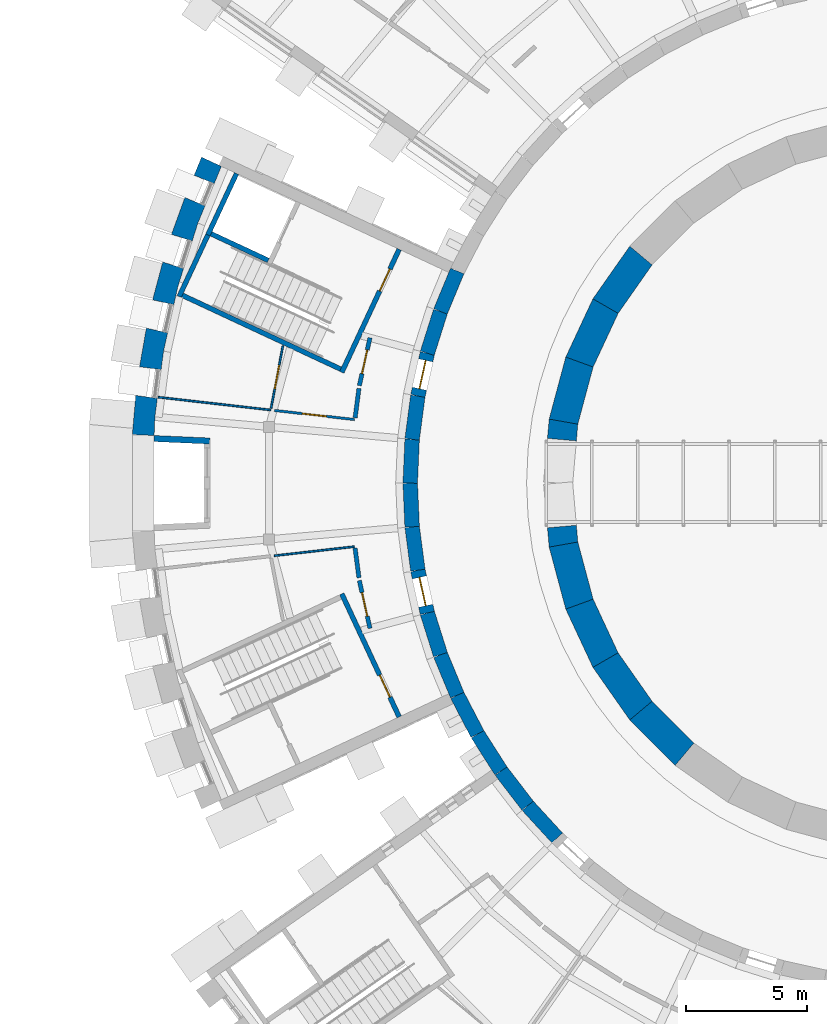
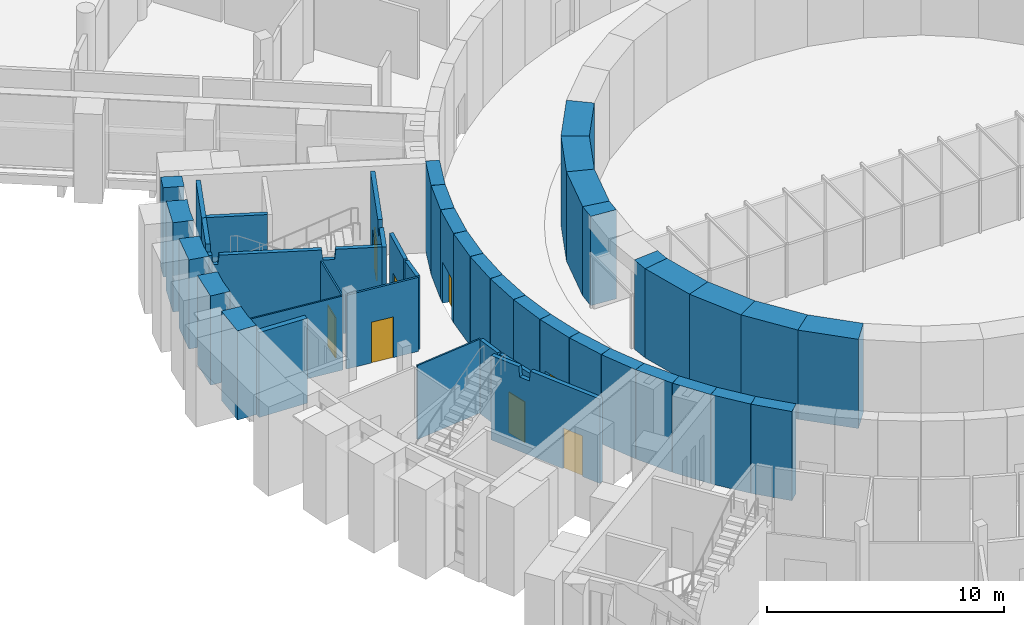
# One storey, part 50 of 85: 43 walls, 8 doors, 8 openings.
"""IFC4 building model written with IfcOpenShell, lengths in metres."""

from ifc_helpers import new_model, si_unit, direction, frame, frame_2d, origin, place, context, subcontext, project, spatial, polyline, rectangle, outline, extrude, material, layer, layer_set, type_object, element, fill, save


model = new_model("IFC4")

# Units and contexts
model_context = context("Model", 3, precision=1e-05, world=origin(), true_north=direction((0.0, 1.0)))
body_context = subcontext(model_context, "Body", "Model", "MODEL_VIEW")
ifc_project = project(units=[si_unit("LENGTHUNIT", "METRE"), si_unit("AREAUNIT", "SQUARE_METRE"), si_unit("VOLUMEUNIT", "CUBIC_METRE"), si_unit("PLANEANGLEUNIT", "RADIAN"), si_unit("MASSUNIT", "GRAM", prefix="KILO")], contexts=[model_context])

# Site, building, storey
site_placement = place(None, origin())
site = spatial("IfcSite", under=ifc_project, at=site_placement, CompositionType="ELEMENT")
building_placement = place(site_placement, origin())
building = spatial("IfcBuilding", under=site, at=building_placement, Name="Volute Hill Aquarium", CompositionType="ELEMENT")
storey_placement = place(building_placement, origin())
storey = spatial("IfcBuildingStorey", under=building, at=storey_placement, Name="L01", CompositionType="ELEMENT", Elevation=0.0)

# Wall, opening, door
ifc_material_1 = material(Name="Concrete C30/37", Category="concrete")
ifc_layer_1 = layer(ifc_material_1, 0.199951171875)
ifc_layer_set_1 = layer_set([ifc_layer_1], Name="Core wall 200 REI 60")
wall_type_1 = type_object("IfcWallType", Name="Core wall 200 REI 60", PredefinedType="SHEAR", material=ifc_layer_set_1)
wall_1_placement = place(storey_placement, frame((-21.15625, 9.64453125, 0.0), z_axis=(0.0, 0.0, 1.0), x_axis=(-0.422596646043, -0.906317866288, 0.0)))
wall_1 = element("IfcWall", 1, at=wall_1_placement, inside=storey, type_object=wall_type_1, Name="wc/S1-A/L01/in", PredefinedType="SHEAR", context=body_context, shape_type="SweptSolid", body=[
    extrude(outline(polyline([(0.0, 0.0), (5.599853515625, 0.0), (5.60009765625, 4.35009765625), (4.181884765625, 4.35009765625), (4.1318359375, 3.830078125), (3.6318359375, 3.830078125), (3.581787109375, 4.35009765625), (0.0, 4.35009765625), (0.0, 0.0)])), frame((0.0, 0.10009765625, 0.0), z_axis=(0.0, -1.0, 0.0), x_axis=(1.0, 0.0, 0.0)), (0.0, 0.0, 1.0), 0.199951171875),
])
opening_1_placement = place(wall_1_placement, frame((0.89990234375, 0.0, 0.0)))
opening_1 = element("IfcOpeningElement", 2, at=opening_1_placement, cuts=wall_1, Name="Opening D1.01.AS", PredefinedType="OPENING", context=body_context, shape_type="SweptSolid", body=[
    extrude(rectangle(XDim=1.0, YDim=2.10009765625, at=frame_2d((0.5, 1.050048828125))), frame((0.0, 0.10986328125, 0.0), z_axis=(0.0, -1.0, 0.0), x_axis=(1.0, 0.0, 0.0)), (0.0, 0.0, 1.0), 0.219970703125),
])
ifc_material_2 = material(Name="Timber, fire-rated", Category="wood")
door_type_1 = type_object("IfcDoorType", Name="Door 1000 x 2100 single EI1 30", OperationType="SINGLE_SWING_LEFT", PredefinedType="DOOR", material=ifc_material_2)
door_1_placement = place(opening_1_placement, origin())
door_1 = element("IfcDoor", 3, at=door_1_placement, inside=storey, type_object=door_type_1, Name="d/S1-A/L01/st", OperationType="SINGLE_SWING_RIGHT", OverallHeight=2.10009765625, OverallWidth=1.0, PredefinedType="DOOR", context=body_context, shape_type="SweptSolid", body=[
    extrude(rectangle(XDim=1.0, YDim=2.10009765625, at=frame_2d((0.5, 1.050048828125))), frame((0.0, 0.02490234375, 0.0), z_axis=(0.0, -1.0, 0.0), x_axis=(1.0, 0.0, 0.0)), (0.0, 0.0, 1.0), 0.050048828125),
])
fill(opening_1, door_1)

# Walls
wall_2_placement = place(storey_placement, frame((-23.5712890625, 4.7021484375, 0.0), z_axis=(0.0, 0.0, 1.0), x_axis=(-0.906300917592, 0.422632992999, 0.0)))
element("IfcWall", 4, at=wall_2_placement, inside=storey, type_object=wall_type_1, Name="wc/S1-A/L01/side", PredefinedType="SHEAR", context=body_context, shape_type="SweptSolid", body=[
    extrude(outline(polyline([(0.0, 0.0), (7.199951171875, 0.0), (7.199951171875, 4.35009765625), (7.14990234375, 3.8798828125), (6.949951171875, 3.8798828125), (6.89990234375, 4.35009765625), (2.55224609375, 4.35009765625), (2.502197265625, 3.830078125), (2.002197265625, 3.830078125), (1.952392578125, 4.35009765625), (0.0, 4.35009765625), (0.0, 0.0)])), frame((0.0, 0.10009765625, 0.0), z_axis=(0.0, -1.0, 0.0), x_axis=(1.0, 0.0, 0.0)), (0.0, 0.0, 1.0), 0.199951171875),
])
wall_3_placement = place(storey_placement, frame((-29.046142578125, 10.234375, 0.0), z_axis=(0.0, 0.0, 1.0), x_axis=(-0.422632457081, -0.906301167505, 0.0)))
element("IfcWall", 5, at=wall_3_placement, inside=storey, type_object=wall_type_1, Name="wc/S1-A/L01/out-b", PredefinedType="SHEAR", context=body_context, shape_type="SweptSolid", body=[
    extrude(outline(polyline([(0.0, 0.0), (2.800048828125, 0.0), (2.7998046875, 4.35009765625), (2.533935546875, 4.35009765625), (2.48388671875, 3.8798828125), (1.98388671875, 3.8798828125), (1.933837890625, 4.35009765625), (0.0, 4.35009765625), (0.0, 0.0)])), frame((0.0, 0.10009765625, 0.0), z_axis=(0.0, -1.0, 0.0), x_axis=(1.0, 0.0, 0.0)), (0.0, 0.0, 1.0), 0.199951171875),
])

# Wall, opening, door
wall_4_placement = place(storey_placement, frame((-21.15625, -9.64453125, 0.0), z_axis=(0.0, 0.0, 1.0), x_axis=(-0.422596646043, 0.906317866288, 0.0)))
wall_4 = element("IfcWall", 6, at=wall_4_placement, inside=storey, type_object=wall_type_1, Name="wc/S1-B/L01/in", PredefinedType="SHEAR", context=body_context, shape_type="SweptSolid", body=[
    extrude(outline(polyline([(0.0, 0.0), (5.599853515625, 0.0), (5.60009765625, 4.35009765625), (4.181884765625, 4.35009765625), (4.1318359375, 3.830078125), (3.6318359375, 3.830078125), (3.581787109375, 4.35009765625), (0.0, 4.35009765625), (0.0, 0.0)])), frame((0.0, 0.10009765625, 0.0), z_axis=(0.0, -1.0, 0.0), x_axis=(1.0, 0.0, 0.0)), (0.0, 0.0, 1.0), 0.199951171875),
])
opening_2_placement = place(wall_4_placement, frame((0.89990234375, 0.0, 0.0)))
opening_2 = element("IfcOpeningElement", 7, at=opening_2_placement, cuts=wall_4, Name="Opening D1.01.BS", PredefinedType="OPENING", context=body_context, shape_type="SweptSolid", body=[
    extrude(rectangle(XDim=1.0, YDim=2.10009765625, at=frame_2d((0.5, 1.050048828125))), frame((0.0, 0.10986328125, 0.0), z_axis=(0.0, -1.0, 0.0), x_axis=(1.0, 0.0, 0.0)), (0.0, 0.0, 1.0), 0.219970703125),
])
door_2_placement = place(opening_2_placement, origin())
door_2 = element("IfcDoor", 8, at=door_2_placement, inside=storey, type_object=door_type_1, Name="d/S1-B/L01/st", OperationType="SINGLE_SWING_RIGHT", OverallHeight=2.10009765625, OverallWidth=1.0, PredefinedType="DOOR", context=body_context, shape_type="SweptSolid", body=[
    extrude(rectangle(XDim=1.0, YDim=2.10009765625, at=frame_2d((0.5, 1.050048828125))), frame((0.0, 0.02490234375, 0.0), z_axis=(0.0, -1.0, 0.0), x_axis=(1.0, 0.0, 0.0)), (0.0, 0.0, 1.0), 0.050048828125),
])
fill(opening_2, door_2)

ifc_material_3 = material(Name="Gypsum board on steel studs", Category="steel")
ifc_layer_2 = layer(ifc_material_3, 0.175048828125)
ifc_layer_set_2 = layer_set([ifc_layer_2], Name="Corridor partition 175 EI 60")
wall_type_2 = type_object("IfcWallType", Name="Corridor partition 175 EI 60", PredefinedType="PARTITIONING", material=ifc_layer_set_2)
wall_5_placement = place(storey_placement, frame((-22.361083984375, -5.99169921875, 0.0), z_axis=(0.0, 0.0, 1.0), x_axis=(-0.216508045227, 0.976280833752, 0.0)))
wall_5 = element("IfcWall", 9, at=wall_5_placement, inside=storey, type_object=wall_type_2, Name="pw/S1/L01/007", PredefinedType="PARTITIONING", context=body_context, shape_type="SweptSolid", body=[
    extrude(rectangle(XDim=2.01953125, YDim=0.175048828125, at=frame_2d((1.009765625, 0.0))), origin(), (0.0, 0.0, 1.0), 3.81005859375),
])
opening_3_placement = place(wall_5_placement, frame((0.509765625, 0.0, 0.0)))
opening_3 = element("IfcOpeningElement", 10, at=opening_3_placement, cuts=wall_5, Name="Opening D1.01.02", PredefinedType="OPENING", context=body_context, shape_type="SweptSolid", body=[
    extrude(rectangle(XDim=1.0, YDim=2.10009765625, at=frame_2d((0.5, 1.050048828125))), frame((0.0, 0.097412109375, 0.0), z_axis=(0.0, -1.0, 0.0), x_axis=(1.0, 0.0, 0.0)), (0.0, 0.0, 1.0), 0.195068359375),
])
door_3_placement = place(opening_3_placement, origin())
door_3 = element("IfcDoor", 11, at=door_3_placement, inside=storey, type_object=door_type_1, Name="d/S1/L01/02", OperationType="SINGLE_SWING_RIGHT", OverallHeight=2.10009765625, OverallWidth=1.0, PredefinedType="DOOR", context=body_context, shape_type="SweptSolid", body=[
    extrude(rectangle(XDim=1.0, YDim=2.10009765625, at=frame_2d((0.5, 1.050048828125))), frame((0.0, 0.02490234375, 0.0), z_axis=(0.0, -1.0, 0.0), x_axis=(1.0, 0.0, 0.0)), (0.0, 0.0, 1.0), 0.050048828125),
])
fill(opening_3, door_3)

wall_6_placement = place(storey_placement, frame((-22.79833984375, 4.02001953125, 0.0), z_axis=(0.0, 0.0, 1.0), x_axis=(0.216508045227, 0.976280833752, 0.0)))
wall_6 = element("IfcWall", 12, at=wall_6_placement, inside=storey, type_object=wall_type_2, Name="pw/S1/L01/008", PredefinedType="PARTITIONING", context=body_context, shape_type="SweptSolid", body=[
    extrude(rectangle(XDim=2.01953125, YDim=0.175048828125, at=frame_2d((1.009765625, 0.0))), origin(), (0.0, 0.0, 1.0), 3.81005859375),
])
opening_4_placement = place(wall_6_placement, frame((0.509765625, 0.0, 0.0)))
opening_4 = element("IfcOpeningElement", 13, at=opening_4_placement, cuts=wall_6, Name="Opening D1.01.01", PredefinedType="OPENING", context=body_context, shape_type="SweptSolid", body=[
    extrude(rectangle(XDim=1.0, YDim=2.10009765625, at=frame_2d((0.5, 1.050048828125))), frame((0.0, 0.097412109375, 0.0), z_axis=(0.0, -1.0, 0.0), x_axis=(1.0, 0.0, 0.0)), (0.0, 0.0, 1.0), 0.195068359375),
])
door_4_placement = place(opening_4_placement, origin())
door_4 = element("IfcDoor", 14, at=door_4_placement, inside=storey, type_object=door_type_1, Name="d/S1/L01/01", OperationType="SINGLE_SWING_LEFT", OverallHeight=2.10009765625, OverallWidth=1.0, PredefinedType="DOOR", context=body_context, shape_type="SweptSolid", body=[
    extrude(rectangle(XDim=1.0, YDim=2.10009765625, at=frame_2d((0.5, 1.050048828125))), frame((0.0, 0.02490234375, 0.0), z_axis=(0.0, -1.0, 0.0), x_axis=(1.0, 0.0, 0.0)), (0.0, 0.0, 1.0), 0.050048828125),
])
fill(opening_4, door_4)

# Walls
wall_7_placement = place(storey_placement, frame((-22.813720703125, -3.903564453125, 0.0), z_axis=(0.0, 0.0, 1.0), x_axis=(-0.130428952468, 0.991457658379, 0.0)))
element("IfcWall", 15, at=wall_7_placement, inside=storey, type_object=wall_type_2, Name="pw/S1/L01/009", PredefinedType="PARTITIONING", context=body_context, shape_type="SweptSolid", body=[
    extrude(rectangle(XDim=1.2353515625, YDim=0.175048828125, at=frame_2d((0.61767578125, 0.0))), origin(), (0.0, 0.0, 1.0), 3.81005859375),
])
wall_8_placement = place(storey_placement, frame((-22.97314453125, 2.691162109375, 0.0), z_axis=(0.0, 0.0, 1.0), x_axis=(0.130371879307, 0.991465164837, 0.0)))
element("IfcWall", 16, at=wall_8_placement, inside=storey, type_object=wall_type_2, Name="pw/S1/L01/010", PredefinedType="PARTITIONING", context=body_context, shape_type="SweptSolid", body=[
    extrude(rectangle(XDim=1.222900390625, YDim=0.175048828125, at=frame_2d((0.611328125, 0.0))), origin(), (0.0, 0.0, 1.0), 3.81005859375),
])
ifc_material_4 = material(Name="Concrete C35/45", Category="concrete")
ifc_layer_3 = layer(ifc_material_4, 0.60009765625)
ifc_layer_set_3 = layer_set([ifc_layer_3], Name="Drum wall C35/45 600")
wall_type_3 = type_object("IfcWallType", Name="Drum wall C35/45 600", PredefinedType="SHEAR", material=ifc_layer_set_3)
wall_9_placement = place(storey_placement, frame((-18.760498046875, 8.748291015625, 0.0), z_axis=(0.0, 0.0, 1.0), x_axis=(-0.382713954298, -0.923866889322, 0.0)))
element("IfcWall", 17, at=wall_9_placement, inside=storey, type_object=wall_type_3, Name="sw/DR/L01/31", PredefinedType="SHEAR", context=body_context, shape_type="SweptSolid", body=[
    extrude(rectangle(XDim=1.805908203125, YDim=0.60009765625, at=frame_2d((0.90283203125, 0.0))), origin(), (0.0, 0.0, 1.0), 4.60009765625),
])
wall_10_placement = place(storey_placement, frame((-19.45166015625, 7.079833984375, 0.0), z_axis=(0.0, 0.0, 1.0), x_axis=(-0.300691330354, -0.953721512733, 0.0)))
element("IfcWall", 18, at=wall_10_placement, inside=storey, type_object=wall_type_3, Name="sw/DR/L01/32", PredefinedType="SHEAR", context=body_context, shape_type="SweptSolid", body=[
    extrude(rectangle(XDim=1.8056640625, YDim=0.60009765625, at=frame_2d((0.90283203125, 0.0))), origin(), (0.0, 0.0, 1.0), 4.60009765625),
])

# Wall, opening, door
wall_11_placement = place(storey_placement, frame((-19.99462890625, 5.357666015625, 0.0), z_axis=(0.0, 0.0, 1.0), x_axis=(-0.216429453554, -0.976298259567, 0.0)))
wall_11 = element("IfcWall", 19, at=wall_11_placement, inside=storey, type_object=wall_type_3, Name="sw/DR/L01/33", PredefinedType="SHEAR", context=body_context, shape_type="SweptSolid", body=[
    extrude(rectangle(XDim=1.805908203125, YDim=0.60009765625, at=frame_2d((0.90283203125, 0.0))), origin(), (0.0, 0.0, 1.0), 4.60009765625),
])
opening_5_placement = place(wall_11_placement, frame((0.302978515625, 0.0, 0.0)))
opening_5 = element("IfcOpeningElement", 20, at=opening_5_placement, cuts=wall_11, Name="Opening D1.01.R1", PredefinedType="OPENING", context=body_context, shape_type="SweptSolid", body=[
    extrude(rectangle(XDim=1.199951171875, YDim=2.10009765625, at=frame_2d((0.60009765625, 1.050048828125))), frame((0.0, 0.31005859375, 0.0), z_axis=(0.0, -1.0, 0.0), x_axis=(1.0, 0.0, 0.0)), (0.0, 0.0, 1.0), 0.6201171875),
])
ifc_material_5 = material(Name="Timber", Category="wood")
door_type_2 = type_object("IfcDoorType", Name="Door 1200 x 2100 drum double", OperationType="DOUBLE_DOOR_SINGLE_SWING", PredefinedType="DOOR", material=ifc_material_5)
door_5_placement = place(opening_5_placement, origin())
door_5 = element("IfcDoor", 21, at=door_5_placement, inside=storey, type_object=door_type_2, Name="d/S1/L01/dr1", OperationType="SINGLE_SWING_LEFT", OverallHeight=2.10009765625, OverallWidth=1.199951171875, PredefinedType="DOOR", context=body_context, shape_type="SweptSolid", body=[
    extrude(rectangle(XDim=1.199951171875, YDim=2.10009765625, at=frame_2d((0.60009765625, 1.050048828125))), frame((0.0, 0.02490234375, 0.0), z_axis=(0.0, -1.0, 0.0), x_axis=(1.0, 0.0, 0.0)), (0.0, 0.0, 1.0), 0.050048828125),
])
fill(opening_5, door_5)

# Walls
wall_12_placement = place(storey_placement, frame((-20.385498046875, 3.594482421875, 0.0), z_axis=(0.0, 0.0, 1.0), x_axis=(-0.130471999813, -0.991451994433, 0.0)))
element("IfcWall", 22, at=wall_12_placement, inside=storey, type_object=wall_type_3, Name="sw/DR/L01/34", PredefinedType="SHEAR", context=body_context, shape_type="SweptSolid", body=[
    extrude(rectangle(XDim=1.8056640625, YDim=0.60009765625, at=frame_2d((0.90283203125, 0.0))), origin(), (0.0, 0.0, 1.0), 4.60009765625),
])
for number, where, z_axis, x_axis, name in (
    (23, (-20.62109375, 1.80419921875, 0.0), (0.0, 0.0, 1.0), (-0.043666024022, -0.999046184291, 0.0), "sw/DR/L01/35"),
    (24, (-20.699951171875, 0.0, 0.0), (0.0, 0.0, 1.0), (0.043666024022, -0.999046184291, 0.0), "sw/DR/L01/36"),
):
    element("IfcWall", number, at=place(storey_placement, frame(where, z_axis=z_axis, x_axis=x_axis)), inside=storey, type_object=wall_type_3, Name=name, PredefinedType="SHEAR", context=body_context, shape_type="SweptSolid", body=[
        extrude(rectangle(XDim=1.805908203125, YDim=0.60009765625, at=frame_2d((0.90283203125, 0.0))), origin(), (0.0, 0.0, 1.0), 4.60009765625),
    ])
wall_13_placement = place(storey_placement, frame((-20.62109375, -1.80419921875, 0.0), z_axis=(0.0, 0.0, 1.0), x_axis=(0.130471999813, -0.991451994433, 0.0)))
element("IfcWall", 25, at=wall_13_placement, inside=storey, type_object=wall_type_3, Name="sw/DR/L01/37", PredefinedType="SHEAR", context=body_context, shape_type="SweptSolid", body=[
    extrude(rectangle(XDim=1.8056640625, YDim=0.60009765625, at=frame_2d((0.90283203125, 0.0))), origin(), (0.0, 0.0, 1.0), 4.60009765625),
])

# Wall, opening, door
wall_14_placement = place(storey_placement, frame((-20.385498046875, -3.594482421875, 0.0), z_axis=(0.0, 0.0, 1.0), x_axis=(0.216429453554, -0.976298259567, 0.0)))
wall_14 = element("IfcWall", 26, at=wall_14_placement, inside=storey, type_object=wall_type_3, Name="sw/DR/L01/38", PredefinedType="SHEAR", context=body_context, shape_type="SweptSolid", body=[
    extrude(rectangle(XDim=1.805908203125, YDim=0.60009765625, at=frame_2d((0.90283203125, 0.0))), origin(), (0.0, 0.0, 1.0), 4.60009765625),
])
opening_6_placement = place(wall_14_placement, frame((0.302978515625, 0.0, 0.0)))
opening_6 = element("IfcOpeningElement", 27, at=opening_6_placement, cuts=wall_14, Name="Opening D1.01.R2", PredefinedType="OPENING", context=body_context, shape_type="SweptSolid", body=[
    extrude(rectangle(XDim=1.199951171875, YDim=2.10009765625, at=frame_2d((0.60009765625, 1.050048828125))), frame((0.0, 0.31005859375, 0.0), z_axis=(0.0, -1.0, 0.0), x_axis=(1.0, 0.0, 0.0)), (0.0, 0.0, 1.0), 0.6201171875),
])
door_6_placement = place(opening_6_placement, origin())
door_6 = element("IfcDoor", 28, at=door_6_placement, inside=storey, type_object=door_type_2, Name="d/S1/L01/dr2", OperationType="SINGLE_SWING_LEFT", OverallHeight=2.10009765625, OverallWidth=1.199951171875, PredefinedType="DOOR", context=body_context, shape_type="SweptSolid", body=[
    extrude(rectangle(XDim=1.199951171875, YDim=2.10009765625, at=frame_2d((0.60009765625, 1.050048828125))), frame((0.0, 0.02490234375, 0.0), z_axis=(0.0, -1.0, 0.0), x_axis=(1.0, 0.0, 0.0)), (0.0, 0.0, 1.0), 0.050048828125),
])
fill(opening_6, door_6)

# Walls
wall_15_placement = place(storey_placement, frame((-19.99462890625, -5.357666015625, 0.0), z_axis=(0.0, 0.0, 1.0), x_axis=(0.300691330354, -0.953721512733, 0.0)))
element("IfcWall", 29, at=wall_15_placement, inside=storey, type_object=wall_type_3, Name="sw/DR/L01/39", PredefinedType="SHEAR", context=body_context, shape_type="SweptSolid", body=[
    extrude(rectangle(XDim=1.8056640625, YDim=0.60009765625, at=frame_2d((0.90283203125, 0.0))), origin(), (0.0, 0.0, 1.0), 4.60009765625),
])
for number, where, z_axis, x_axis, name in (
    (30, (-19.45166015625, -7.079833984375, 0.0), (0.0, 0.0, 1.0), (0.382713954298, -0.923866889322, 0.0), "sw/DR/L01/40"),
    (31, (-18.760498046875, -8.748291015625, 0.0), (0.0, 0.0, 1.0), (0.461701764231, -0.887035219654, 0.0), "sw/DR/L01/41"),
    (32, (-17.9267578125, -10.35009765625, 0.0), (0.0, 0.0, 1.0), (0.537391510251, -0.843332890803, 0.0), "sw/DR/L01/42"),
):
    element("IfcWall", number, at=place(storey_placement, frame(where, z_axis=z_axis, x_axis=x_axis)), inside=storey, type_object=wall_type_3, Name=name, PredefinedType="SHEAR", context=body_context, shape_type="SweptSolid", body=[
        extrude(rectangle(XDim=1.805908203125, YDim=0.60009765625, at=frame_2d((0.90283203125, 0.0))), origin(), (0.0, 0.0, 1.0), 4.60009765625),
    ])
wall_16_placement = place(storey_placement, frame((-16.956298828125, -11.873046875, 0.0), z_axis=(0.0, 0.0, 1.0), x_axis=(0.608704004289, -0.793397400526, 0.0)))
element("IfcWall", 33, at=wall_16_placement, inside=storey, type_object=wall_type_3, Name="sw/DR/L01/43", PredefinedType="SHEAR", context=body_context, shape_type="SweptSolid", body=[
    extrude(rectangle(XDim=1.8056640625, YDim=0.60009765625, at=frame_2d((0.90283203125, 0.0))), origin(), (0.0, 0.0, 1.0), 4.60009765625),
])
wall_17_placement = place(storey_placement, frame((-15.857177734375, -13.3056640625, 0.0), z_axis=(0.0, 0.0, 1.0), x_axis=(0.675540954152, -0.737322466268, 0.0)))
element("IfcWall", 34, at=wall_17_placement, inside=storey, type_object=wall_type_3, Name="sw/DR/L01/44", PredefinedType="SHEAR", context=body_context, shape_type="SweptSolid", body=[
    extrude(rectangle(XDim=1.805908203125, YDim=0.60009765625, at=frame_2d((0.90283203125, 0.0))), origin(), (0.0, 0.0, 1.0), 4.60009765625),
])

# Wall, opening, door
ifc_material_6 = material(Name="Gypsum board on steel studs", Category="steel")
ifc_layer_4 = layer(ifc_material_6, 0.10009765625)
ifc_layer_set_4 = layer_set([ifc_layer_4], Name="Light partition 100")
wall_type_4 = type_object("IfcWallType", Name="Light partition 100", PredefinedType="PARTITIONING", material=ifc_layer_set_4)
wall_18_placement = place(storey_placement, frame((-23.001220703125, 2.62060546875, 0.0), z_axis=(0.0, 0.0, 1.0), x_axis=(-0.99357001105, 0.113219402678, 0.0)))
wall_18 = element("IfcWall", 35, at=wall_18_placement, inside=storey, type_object=wall_type_4, Name="pw/S1/L01/003", PredefinedType="PARTITIONING", context=body_context, shape_type="SweptSolid", body=[
    extrude(rectangle(XDim=3.3251953125, YDim=0.10009765625, at=frame_2d((1.66259765625, 0.0))), origin(), (0.0, 0.0, 1.0), 3.81005859375),
])
opening_7_placement = place(wall_18_placement, frame((1.16259765625, 0.0, 0.0)))
opening_7 = element("IfcOpeningElement", 36, at=opening_7_placement, cuts=wall_18, Name="Opening D1.01.03", PredefinedType="OPENING", context=body_context, shape_type="SweptSolid", body=[
    extrude(rectangle(XDim=1.0, YDim=2.10009765625, at=frame_2d((0.5, 1.050048828125))), frame((0.0, 0.06005859375, 0.0), z_axis=(0.0, -1.0, 0.0), x_axis=(1.0, 0.0, 0.0)), (0.0, 0.0, 1.0), 0.1201171875),
])
ifc_material_7 = material(Name="Timber", Category="wood")
door_type_3 = type_object("IfcDoorType", Name="Door 1000 x 2100 single", OperationType="SINGLE_SWING_LEFT", PredefinedType="DOOR", material=ifc_material_7)
door_7_placement = place(opening_7_placement, origin())
door_7 = element("IfcDoor", 37, at=door_7_placement, inside=storey, type_object=door_type_3, Name="d/S1/L01/03", OperationType="SINGLE_SWING_LEFT", OverallHeight=2.10009765625, OverallWidth=1.0, PredefinedType="DOOR", context=body_context, shape_type="SweptSolid", body=[
    extrude(rectangle(XDim=1.0, YDim=2.10009765625, at=frame_2d((0.5, 1.050048828125))), frame((0.0, 0.02490234375, 0.0), z_axis=(0.0, -1.0, 0.0), x_axis=(1.0, 0.0, 0.0)), (0.0, 0.0, 1.0), 0.050048828125),
])
fill(opening_7, door_7)

# Walls
ifc_material_8 = material(Name="Precast concrete C40/50", Category="concrete")
ifc_layer_5 = layer(ifc_material_8, 0.89990234375)
ifc_layer_set_5 = layer_set([ifc_layer_5], Name="Outer pier precast concrete C40/50 900")
wall_type_5 = type_object("IfcWallType", Name="Outer pier precast concrete C40/50 900", PredefinedType="NOTDEFINED", material=ifc_layer_set_5)
wall_19_placement = place(storey_placement, origin())
element("IfcWall", 38, at=wall_19_placement, inside=storey, type_object=wall_type_5, Name="Outer pier OWP S1 L01 1", PredefinedType="NOTDEFINED", context=body_context, shape_type="SweptSolid", body=[
    extrude(outline(polyline([(-28.489013671875, 13.06396484375), (-29.305419921875, 13.444580078125), (-29.615478515625, 12.696044921875), (-28.783935546875, 12.3515625), (-28.489013671875, 13.06396484375)])), origin(), (0.0, 0.0, 1.0), 4.60009765625),
])
wall_20_placement = place(storey_placement, origin())
element("IfcWall", 39, at=wall_20_placement, inside=storey, type_object=wall_type_5, Name="Outer pier OWP S1 L01 2", PredefinedType="NOTDEFINED", context=body_context, shape_type="SweptSolid", body=[
    extrude(outline(polyline([(-29.163818359375, 11.4345703125), (-29.995361328125, 11.77880859375), (-30.549072265625, 10.25732421875), (-29.690673828125, 9.98681640625), (-29.458984375, 10.72216796875), (-29.163818359375, 11.4345703125)])), origin(), (0.0, 0.0, 1.0), 4.60009765625),
])
wall_21_placement = place(storey_placement, origin())
element("IfcWall", 40, at=wall_21_placement, inside=storey, type_object=wall_type_5, Name="Outer pier OWP S1 L01 3", PredefinedType="NOTDEFINED", context=body_context, shape_type="SweptSolid", body=[
    extrude(outline(polyline([(-30.049560546875, 8.84912109375), (-30.907958984375, 9.11962890625), (-31.326904296875, 7.555908203125), (-30.4482421875, 7.361083984375), (-30.281494140625, 8.114013671875), (-30.049560546875, 8.84912109375)])), origin(), (0.0, 0.0, 1.0), 4.60009765625),
])
wall_22_placement = place(storey_placement, origin())
element("IfcWall", 41, at=wall_22_placement, inside=storey, type_object=wall_type_5, Name="Outer pier OWP S1 L01 4", PredefinedType="NOTDEFINED", context=body_context, shape_type="SweptSolid", body=[
    extrude(outline(polyline([(-30.70654296875, 6.196533203125), (-31.585205078125, 6.39111328125), (-31.8662109375, 4.796875), (-30.973876953125, 4.679443359375), (-30.873291015625, 5.44384765625), (-30.70654296875, 6.196533203125)])), origin(), (0.0, 0.0, 1.0), 4.60009765625),
])
wall_23_placement = place(storey_placement, origin())
element("IfcWall", 42, at=wall_23_placement, inside=storey, type_object=wall_type_5, Name="Outer pier OWP S1 L01 5", PredefinedType="NOTDEFINED", context=body_context, shape_type="SweptSolid", body=[
    extrude(outline(polyline([(-31.129638671875, 3.49658203125), (-32.02197265625, 3.614013671875), (-32.1630859375, 2.001220703125), (-31.263916015625, 1.962158203125), (-31.230224609375, 2.732421875), (-31.129638671875, 3.49658203125)])), origin(), (0.0, 0.0, 1.0), 4.60009765625),
])
ifc_material_9 = material(Name="Concrete C30/37", Category="concrete")
ifc_layer_6 = layer(ifc_material_9, 0.25)
ifc_layer_set_6 = layer_set([ifc_layer_6], Name="Portal cheek wall 250")
wall_type_6 = type_object("IfcWallType", Name="Portal cheek wall 250", PredefinedType="NOTDEFINED", material=ifc_layer_set_6)
wall_24_placement = place(storey_placement, origin())
element("IfcWall", 43, at=wall_24_placement, inside=storey, type_object=wall_type_6, Name="Portal cheek wall OWN S1 L01 A", PredefinedType="NOTDEFINED", context=body_context, shape_type="SweptSolid", body=[
    extrude(outline(polyline([(-31.263916015625, 1.962158203125), (-31.27490234375, 1.712158203125), (-28.97607421875, 1.61181640625), (-28.965087890625, 1.861572265625), (-31.263916015625, 1.962158203125)])), origin(), (0.0, 0.0, 1.0), 4.3798828125),
])
ifc_material_10 = material(Name="Concrete C30/37", Category="concrete")
ifc_layer_7 = layer(ifc_material_10, 0.199951171875)
ifc_layer_set_7 = layer_set([ifc_layer_7], Name="Shaft wall 200 EI 60")
wall_type_7 = type_object("IfcWallType", Name="Shaft wall 200 EI 60", PredefinedType="SOLIDWALL", material=ifc_layer_set_7)
wall_25_placement = place(storey_placement, frame((-27.86279296875, 12.77197265625, 0.0), z_axis=(0.0, 0.0, 1.0), x_axis=(-0.422632457081, -0.906301167505, 0.0)))
element("IfcWall", 44, at=wall_25_placement, inside=storey, type_object=wall_type_7, Name="wc/S1-A/L01/out-a", PredefinedType="SOLIDWALL", context=body_context, shape_type="SweptSolid", body=[
    extrude(rectangle(XDim=2.800048828125, YDim=0.199951171875, at=frame_2d((1.39990234375, 0.0))), origin(), (0.0, 0.0, 1.0), 4.35009765625),
])
wall_26_placement = place(storey_placement, frame((-26.556884765625, 9.183837890625, 0.0), z_axis=(0.0, 0.0, 1.0), x_axis=(-0.906300648467, 0.422633570115, 0.0)))
element("IfcWall", 45, at=wall_26_placement, inside=storey, type_object=wall_type_7, Name="wc/S1-A/L01/shaft-side", PredefinedType="SOLIDWALL", context=body_context, shape_type="SweptSolid", body=[
    extrude(rectangle(XDim=2.60009765625, YDim=0.199951171875, at=frame_2d((1.300048828125, 0.0))), origin(), (0.0, 0.0, 1.0), 4.35009765625),
])
ifc_material_11 = material(Name="Gypsum board on steel studs", Category="steel")
ifc_layer_8 = layer(ifc_material_11, 0.074951171875)
ifc_layer_set_8 = layer_set([ifc_layer_8], Name="Shopfitting stud partition 75")
wall_type_8 = type_object("IfcWallType", Name="Shopfitting stud partition 75", PredefinedType="PARTITIONING", material=ifc_layer_set_8)
wall_27_placement = place(storey_placement, frame((-31.09375, 3.542724609375, 0.0), z_axis=(0.0, 0.0, 1.0), x_axis=(0.993573891443, -0.113185344645, 0.0)))
element("IfcWall", 46, at=wall_27_placement, inside=storey, type_object=wall_type_8, Name="pw/S1/L01/001", PredefinedType="PARTITIONING", context=body_context, shape_type="SweptSolid", body=[
    extrude(rectangle(XDim=4.669921875, YDim=0.074951171875, at=frame_2d((2.3349609375, 0.0))), origin(), (0.0, 0.0, 1.0), 3.81005859375),
])
wall_28_placement = place(storey_placement, frame((-26.304931640625, -2.9970703125, 0.0), z_axis=(0.0, 0.0, 1.0), x_axis=(0.99357001105, 0.113219402678, 0.0)))
element("IfcWall", 47, at=wall_28_placement, inside=storey, type_object=wall_type_8, Name="pw/S1/L01/004", PredefinedType="PARTITIONING", context=body_context, shape_type="SweptSolid", body=[
    extrude(rectangle(XDim=3.3251953125, YDim=0.074951171875, at=frame_2d((1.66259765625, 0.0))), origin(), (0.0, 0.0, 1.0), 3.81005859375),
])

# Wall, opening, door
wall_29_placement = place(storey_placement, frame((-26.44140625, 3.08056640625, 0.0), z_axis=(0.0, 0.0, 1.0), x_axis=(0.186605174024, 0.982434989721, 0.0)))
wall_29 = element("IfcWall", 48, at=wall_29_placement, inside=storey, type_object=wall_type_8, Name="pw/S1/L01/005", PredefinedType="PARTITIONING", context=body_context, shape_type="SweptSolid", body=[
    extrude(rectangle(XDim=2.633544921875, YDim=0.074951171875, at=frame_2d((1.31689453125, 0.0))), origin(), (0.0, 0.0, 1.0), 3.81005859375),
])
opening_8_placement = place(wall_29_placement, frame((0.81689453125, 0.0, 0.0)))
opening_8 = element("IfcOpeningElement", 49, at=opening_8_placement, cuts=wall_29, Name="Opening D1.01.04", PredefinedType="OPENING", context=body_context, shape_type="SweptSolid", body=[
    extrude(rectangle(XDim=1.0, YDim=2.10009765625, at=frame_2d((0.5, 1.050048828125))), frame((0.0, 0.04736328125, 0.0), z_axis=(0.0, -1.0, 0.0), x_axis=(1.0, 0.0, 0.0)), (0.0, 0.0, 1.0), 0.094970703125),
])
door_8_placement = place(opening_8_placement, origin())
door_8 = element("IfcDoor", 50, at=door_8_placement, inside=storey, type_object=door_type_3, Name="d/S1/L01/04", OperationType="SINGLE_SWING_RIGHT", OverallHeight=2.10009765625, OverallWidth=1.0, PredefinedType="DOOR", context=body_context, shape_type="SweptSolid", body=[
    extrude(rectangle(XDim=1.0, YDim=2.10009765625, at=frame_2d((0.5, 1.050048828125))), frame((0.0, 0.02490234375, 0.0), z_axis=(0.0, -1.0, 0.0), x_axis=(1.0, 0.0, 0.0)), (0.0, 0.0, 1.0), 0.050048828125),
])
fill(opening_8, door_8)

# Walls
ifc_material_12 = material(Name="Concrete C40/50", Category="concrete")
ifc_layer_9 = layer(ifc_material_12, 1.199951171875)
ifc_layer_set_9 = layer_set([ifc_layer_9], Name="Tank wall C40/50 1200")
wall_type_9 = type_object("IfcWallType", Name="Tank wall C40/50 1200", PredefinedType="SHEAR", material=ifc_layer_set_9)
wall_30_placement = place(storey_placement, origin())
element("IfcWall", 51, at=wall_30_placement, inside=storey, type_object=wall_type_9, Name="sw/TK/L01/14", PredefinedType="SHEAR", context=body_context, shape_type="SweptSolid", body=[
    extrude(outline(polyline([(-10.724609375, 8.9990234375), (-11.643798828125, 9.7705078125), (-13.16357421875, 7.60009765625), (-12.12451171875, 7.0), (-10.724609375, 8.9990234375)])), origin(), (0.0, 0.0, 1.0), 4.60009765625),
])
wall_31_placement = place(storey_placement, origin())
element("IfcWall", 52, at=wall_31_placement, inside=storey, type_object=wall_type_9, Name="sw/TK/L01/15", PredefinedType="SHEAR", context=body_context, shape_type="SweptSolid", body=[
    extrude(outline(polyline([(-12.12451171875, 7.0), (-13.16357421875, 7.60009765625), (-14.283203125, 5.19873046875), (-13.15576171875, 4.788330078125), (-12.12451171875, 7.0)])), origin(), (0.0, 0.0, 1.0), 4.60009765625),
])
wall_32_placement = place(storey_placement, origin())
element("IfcWall", 53, at=wall_32_placement, inside=storey, type_object=wall_type_9, Name="sw/TK/L01/16", PredefinedType="SHEAR", context=body_context, shape_type="SweptSolid", body=[
    extrude(outline(polyline([(-13.15576171875, 4.788330078125), (-14.283203125, 5.19873046875), (-14.968994140625, 2.639404296875), (-13.787353515625, 2.43115234375), (-13.15576171875, 4.788330078125)])), origin(), (0.0, 0.0, 1.0), 4.60009765625),
])
wall_33_placement = place(storey_placement, origin())
element("IfcWall", 54, at=wall_33_placement, inside=storey, type_object=wall_type_9, Name="sw/TK/L01/17", PredefinedType="SHEAR", context=body_context, shape_type="SweptSolid", body=[
    extrude(outline(polyline([(-14.968994140625, 2.639404296875), (-15.03857421875, 1.84521484375), (-13.84765625, 1.740966796875), (-13.787353515625, 2.43115234375), (-14.968994140625, 2.639404296875)])), origin(), (0.0, 0.0, 1.0), 4.60009765625),
])
wall_34_placement = place(storey_placement, origin())
element("IfcWall", 55, at=wall_34_placement, inside=storey, type_object=wall_type_9, Name="sw/TK/L01/18", PredefinedType="SHEAR", context=body_context, shape_type="SweptSolid", body=[
    extrude(outline(polyline([(-13.787353515625, -2.43115234375), (-13.84765625, -1.740966796875), (-15.03857421875, -1.84521484375), (-14.968994140625, -2.639404296875), (-13.787353515625, -2.43115234375)])), origin(), (0.0, 0.0, 1.0), 4.60009765625),
])
wall_35_placement = place(storey_placement, origin())
element("IfcWall", 56, at=wall_35_placement, inside=storey, type_object=wall_type_9, Name="sw/TK/L01/19", PredefinedType="SHEAR", context=body_context, shape_type="SweptSolid", body=[
    extrude(outline(polyline([(-13.787353515625, -2.43115234375), (-14.968994140625, -2.639404296875), (-14.283203125, -5.19873046875), (-13.15576171875, -4.788330078125), (-13.787353515625, -2.43115234375)])), origin(), (0.0, 0.0, 1.0), 4.60009765625),
])
wall_36_placement = place(storey_placement, origin())
element("IfcWall", 57, at=wall_36_placement, inside=storey, type_object=wall_type_9, Name="sw/TK/L01/20", PredefinedType="SHEAR", context=body_context, shape_type="SweptSolid", body=[
    extrude(outline(polyline([(-13.15576171875, -4.788330078125), (-14.283203125, -5.19873046875), (-13.16357421875, -7.60009765625), (-12.12451171875, -7.0), (-13.15576171875, -4.788330078125)])), origin(), (0.0, 0.0, 1.0), 4.60009765625),
])
wall_37_placement = place(storey_placement, origin())
element("IfcWall", 58, at=wall_37_placement, inside=storey, type_object=wall_type_9, Name="sw/TK/L01/21", PredefinedType="SHEAR", context=body_context, shape_type="SweptSolid", body=[
    extrude(outline(polyline([(-12.12451171875, -7.0), (-13.16357421875, -7.60009765625), (-11.643798828125, -9.7705078125), (-10.724609375, -8.9990234375), (-12.12451171875, -7.0)])), origin(), (0.0, 0.0, 1.0), 4.60009765625),
])
wall_38_placement = place(storey_placement, origin())
element("IfcWall", 59, at=wall_38_placement, inside=storey, type_object=wall_type_9, Name="sw/TK/L01/22", PredefinedType="SHEAR", context=body_context, shape_type="SweptSolid", body=[
    extrude(outline(polyline([(-10.724609375, -8.9990234375), (-11.643798828125, -9.7705078125), (-9.7705078125, -11.643798828125), (-8.9990234375, -10.724609375), (-10.724609375, -8.9990234375)])), origin(), (0.0, 0.0, 1.0), 4.60009765625),
])

save(model, "model.ifc")
